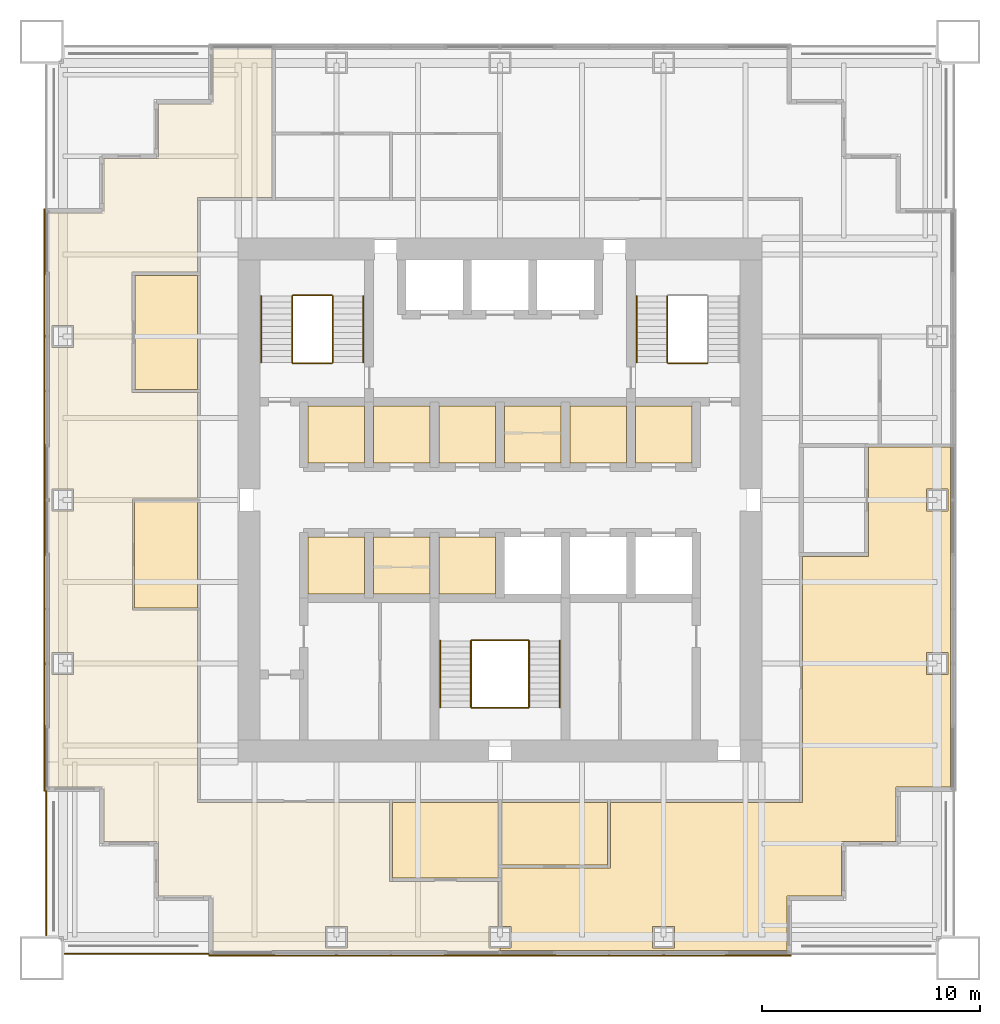
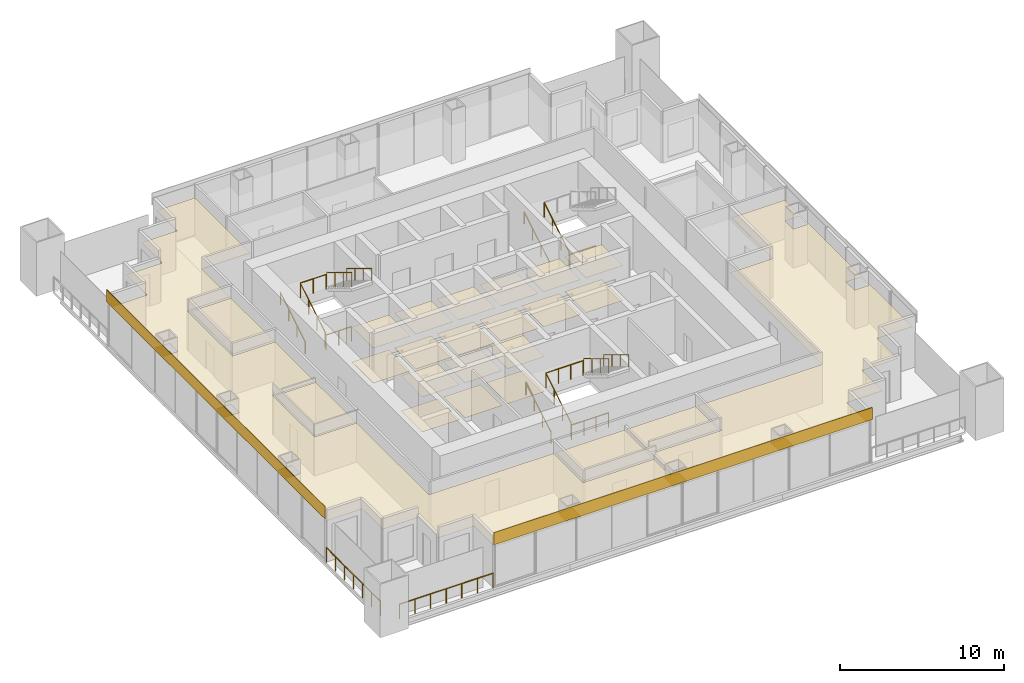
# One storey, part 13 of 14: 26 coverings, 17 railings.
"""IFC4 building model written with IfcOpenShell, lengths in metres."""

from ifc_helpers import new_model, si_unit, direction, frame, origin, origin_2d, place, context, subcontext, project, spatial, polyline, rectangle, circle, outline, extrude, material, layer, layer_set, type_object, element, save


model = new_model("IFC4")

# Units and contexts
model_context = context("Model", 3, precision=1e-05, world=origin(), true_north=direction((0.0, 1.0)))
body_context = subcontext(model_context, "Body", "Model", "MODEL_VIEW")
ifc_project = project(units=[si_unit("LENGTHUNIT", "METRE"), si_unit("AREAUNIT", "SQUARE_METRE"), si_unit("VOLUMEUNIT", "CUBIC_METRE"), si_unit("PLANEANGLEUNIT", "RADIAN"), si_unit("MASSUNIT", "GRAM", prefix="KILO")], contexts=[model_context])

# Site, building, storey
site_placement = place(None, origin())
site = spatial("IfcSite", under=ifc_project, at=site_placement, CompositionType="ELEMENT")
building_placement = place(site_placement, origin())
building = spatial("IfcBuilding", under=site, at=building_placement, Name="Tarangal Relay Tower", CompositionType="ELEMENT")
storey_placement = place(building_placement, frame((0.0, 0.0, 271.89990234375)))
storey = spatial("IfcBuildingStorey", under=building, at=storey_placement, Name="L59", CompositionType="ELEMENT", Elevation=271.89990234375)

# Coverings
ifc_material_1 = material(Name="Anti-static vinyl flooring", Category="plastic")
ifc_layer_1 = layer(ifc_material_1, 0.010009765625)
ifc_layer_set_1 = layer_set([ifc_layer_1], Name="Anti-static vinyl floor")
covering_type_1 = type_object("IfcCoveringType", Name="Anti-static vinyl floor", PredefinedType="FLOORING", material=ifc_layer_set_1)
covering_1_placement = place(storey_placement, origin())
element("IfcCovering", 1, at=covering_1_placement, inside=storey, type_object=covering_type_1, Name="Floor finish FL1 L59-D1", PredefinedType="FLOORING", context=body_context, shape_type="SweptSolid", body=[
    extrude(outline(polyline([(-8.800048828125, 1.699951171875), (-6.199951171875, 1.699951171875), (-6.199951171875, 4.300048828125), (-8.800048828125, 4.300048828125), (-8.800048828125, 1.699951171875)])), origin(), (0.0, 0.0, 1.0), 0.010009765625),
])
covering_2_placement = place(storey_placement, origin())
element("IfcCovering", 2, at=covering_2_placement, inside=storey, type_object=covering_type_1, Name="Floor finish FL1 L59-D2", PredefinedType="FLOORING", context=body_context, shape_type="SweptSolid", body=[
    extrude(outline(polyline([(-5.800048828125, 1.699951171875), (-3.199951171875, 1.699951171875), (-3.199951171875, 4.300048828125), (-5.800048828125, 4.300048828125), (-5.800048828125, 1.699951171875)])), origin(), (0.0, 0.0, 1.0), 0.010009765625),
])
covering_3_placement = place(storey_placement, origin())
element("IfcCovering", 3, at=covering_3_placement, inside=storey, type_object=covering_type_1, Name="Floor finish FL1 L59-D3", PredefinedType="FLOORING", context=body_context, shape_type="SweptSolid", body=[
    extrude(outline(polyline([(-2.800048828125, 1.699951171875), (-0.199951171875, 1.699951171875), (-0.199951171875, 4.300048828125), (-2.800048828125, 4.300048828125), (-2.800048828125, 1.699951171875)])), origin(), (0.0, 0.0, 1.0), 0.010009765625),
])
covering_4_placement = place(storey_placement, origin())
element("IfcCovering", 4, at=covering_4_placement, inside=storey, type_object=covering_type_1, Name="Floor finish FL1 L59-T1", PredefinedType="FLOORING", context=body_context, shape_type="SweptSolid", body=[
    extrude(outline(polyline([(0.199951171875, 1.699951171875), (2.800048828125, 1.699951171875), (2.800048828125, 4.300048828125), (0.199951171875, 4.300048828125), (0.199951171875, 1.699951171875)])), origin(), (0.0, 0.0, 1.0), 0.010009765625),
])
covering_5_placement = place(storey_placement, origin())
element("IfcCovering", 5, at=covering_5_placement, inside=storey, type_object=covering_type_1, Name="Floor finish FL1 L59-T2", PredefinedType="FLOORING", context=body_context, shape_type="SweptSolid", body=[
    extrude(outline(polyline([(3.199951171875, 1.699951171875), (5.800048828125, 1.699951171875), (5.800048828125, 4.300048828125), (3.199951171875, 4.300048828125), (3.199951171875, 1.699951171875)])), origin(), (0.0, 0.0, 1.0), 0.010009765625),
])
covering_6_placement = place(storey_placement, origin())
element("IfcCovering", 6, at=covering_6_placement, inside=storey, type_object=covering_type_1, Name="Floor finish FL1 L59-T3", PredefinedType="FLOORING", context=body_context, shape_type="SweptSolid", body=[
    extrude(outline(polyline([(6.199951171875, 1.699951171875), (8.800048828125, 1.699951171875), (8.800048828125, 4.300048828125), (6.199951171875, 4.300048828125), (6.199951171875, 1.699951171875)])), origin(), (0.0, 0.0, 1.0), 0.010009765625),
])
covering_7_placement = place(storey_placement, origin())
element("IfcCovering", 7, at=covering_7_placement, inside=storey, type_object=covering_type_1, Name="Floor finish FL1 L59-S1", PredefinedType="FLOORING", context=body_context, shape_type="SweptSolid", body=[
    extrude(outline(polyline([(-8.800048828125, -4.300048828125), (-6.199951171875, -4.300048828125), (-6.199951171875, -1.699951171875), (-8.800048828125, -1.699951171875), (-8.800048828125, -4.300048828125)])), origin(), (0.0, 0.0, 1.0), 0.010009765625),
])
covering_8_placement = place(storey_placement, origin())
element("IfcCovering", 8, at=covering_8_placement, inside=storey, type_object=covering_type_1, Name="Floor finish FL1 L59-S2", PredefinedType="FLOORING", context=body_context, shape_type="SweptSolid", body=[
    extrude(outline(polyline([(-5.800048828125, -4.300048828125), (-3.199951171875, -4.300048828125), (-3.199951171875, -1.699951171875), (-5.800048828125, -1.699951171875), (-5.800048828125, -4.300048828125)])), origin(), (0.0, 0.0, 1.0), 0.010009765625),
])
covering_9_placement = place(storey_placement, origin())
element("IfcCovering", 9, at=covering_9_placement, inside=storey, type_object=covering_type_1, Name="Floor finish FL1 L59-S3", PredefinedType="FLOORING", context=body_context, shape_type="SweptSolid", body=[
    extrude(outline(polyline([(-2.800048828125, -4.300048828125), (-0.199951171875, -4.300048828125), (-0.199951171875, -1.699951171875), (-2.800048828125, -1.699951171875), (-2.800048828125, -4.300048828125)])), origin(), (0.0, 0.0, 1.0), 0.010009765625),
])
ifc_material_2 = material(Name="Black anodised aluminium cladding", Category="aluminium")
ifc_layer_2 = layer(ifc_material_2, 0.050048828125)
ifc_layer_set_2 = layer_set([ifc_layer_2], Name="Black metal spandrel band")
covering_type_2 = type_object("IfcCoveringType", Name="Black metal spandrel band", PredefinedType="CLADDING", material=ifc_layer_set_2)
for number, where, z_axis, x_axis, name in (
    (10, (0.0, -20.875, 3.250244140625), (0.0, 0.0, 1.0), (-1.0, 0.0, 0.0), "Spandrel band SB1 S L59"),
    (11, (-20.875, 0.0, 3.250244140625), (0.0, 0.0, 1.0), (0.0, 1.0, 0.0), "Spandrel band SB1 W L59"),
):
    element("IfcCovering", number, at=place(storey_placement, frame(where, z_axis=z_axis, x_axis=x_axis)), inside=storey, type_object=covering_type_2, Name=name, PredefinedType="CLADDING", context=body_context, shape_type="SweptSolid", body=[
        extrude(rectangle(XDim=26.699951171875, YDim=0.050048828125, at=origin_2d()), origin(), (0.0, 0.0, 1.0), 0.89990234375),
    ])

# Railings
ifc_material_3 = material(Name="Steel guard, black finish", Category="steel")
railing_type_1 = type_object("IfcRailingType", Name="Stair guard 1100", PredefinedType="GUARDRAIL", material=ifc_material_3)
railing_1_placement = place(storey_placement, frame((-9.530029296875, 6.300048828125, 0.166748046875)))
element("IfcRailing", 12, at=railing_1_placement, inside=storey, type_object=railing_type_1, Name="Stair ST-A guard GR1 L59 flight 1", PredefinedType="GUARDRAIL", context=body_context, shape_type="SweptSolid", body=[
    extrude(circle(Radius=0.02392578125, at=origin_2d()), frame((0.0, 0.0, 1.076171875), z_axis=(0.0, 0.85685617095, 0.515555527858), x_axis=(-1.0, 0.0, 0.0)), (0.0, 0.0, 1.0), 3.555908203125),
    extrude(circle(Radius=0.02099609375, at=origin_2d()), origin(), (0.0, 0.0, 1.0), 1.052001953125),
    extrude(circle(Radius=0.02099609375, at=origin_2d()), frame((0.0, 1.015625, 0.611083984375)), (0.0, 0.0, 1.0), 1.052001953125),
    extrude(circle(Radius=0.02099609375, at=origin_2d()), frame((0.0, 2.03125, 1.22216796875)), (0.0, 0.0, 1.0), 1.052001953125),
    extrude(circle(Radius=0.02099609375, at=origin_2d()), frame((0.0, 3.046875, 1.833251953125)), (0.0, 0.0, 1.0), 1.052001953125),
])
railing_2_placement = place(storey_placement, frame((-7.669921875, 9.346923828125, 2.166748046875)))
element("IfcRailing", 13, at=railing_2_placement, inside=storey, type_object=railing_type_1, Name="Stair ST-A guard GR1 L59 flight 2", PredefinedType="GUARDRAIL", context=body_context, shape_type="SweptSolid", body=[
    extrude(circle(Radius=0.02392578125, at=origin_2d()), frame((0.0, 0.0, 1.076171875), z_axis=(0.0, -0.85685617095, 0.515555527858), x_axis=(1.0, 0.0, 0.0)), (0.0, 0.0, 1.0), 3.555908203125),
    extrude(circle(Radius=0.02099609375, at=origin_2d()), origin(), (0.0, 0.0, 1.0), 1.052001953125),
    extrude(circle(Radius=0.02099609375, at=origin_2d()), frame((0.0, -1.015625, 0.611083984375)), (0.0, 0.0, 1.0), 1.052001953125),
    extrude(circle(Radius=0.02099609375, at=origin_2d()), frame((0.0, -2.03125, 1.22216796875)), (0.0, 0.0, 1.0), 1.052001953125),
    extrude(circle(Radius=0.02099609375, at=origin_2d()), frame((0.0, -3.046875, 1.833251953125)), (0.0, 0.0, 1.0), 1.052001953125),
])
for number, where, name in (
    (14, (-9.5, 6.27001953125, 0.0), "Stair ST-A landing guard GR1 L59"),
    (15, (-9.5, 9.376953125, 2.0), "Stair ST-A landing guard GR1 L59"),
):
    element("IfcRailing", number, at=place(storey_placement, frame(where)), inside=storey, type_object=railing_type_1, Name=name, PredefinedType="GUARDRAIL", context=body_context, shape_type="SweptSolid", body=[
        extrude(circle(Radius=0.02392578125, at=origin_2d()), frame((0.0, 0.0, 1.076171875), z_axis=(1.0, 0.0, 0.0), x_axis=(0.0, 1.0, 0.0)), (0.0, 0.0, 1.0), 1.800048828125),
        extrude(circle(Radius=0.02099609375, at=origin_2d()), origin(), (0.0, 0.0, 1.0), 1.052001953125),
        extrude(circle(Radius=0.02099609375, at=origin_2d()), frame((0.89990234375, 0.0, 0.0)), (0.0, 0.0, 1.0), 1.052001953125),
        extrude(circle(Radius=0.02099609375, at=origin_2d()), frame((1.800048828125, 0.0, 0.0)), (0.0, 0.0, 1.0), 1.052001953125),
    ])
railing_3_placement = place(storey_placement, frame((7.669921875, 6.300048828125, 0.166748046875)))
element("IfcRailing", 16, at=railing_3_placement, inside=storey, type_object=railing_type_1, Name="Stair ST-B guard GR1 L59 flight 1", PredefinedType="GUARDRAIL", context=body_context, shape_type="SweptSolid", body=[
    extrude(circle(Radius=0.02392578125, at=origin_2d()), frame((0.0, 0.0, 1.076171875), z_axis=(0.0, 0.85685617095, 0.515555527858), x_axis=(-1.0, 0.0, 0.0)), (0.0, 0.0, 1.0), 3.555908203125),
    extrude(circle(Radius=0.02099609375, at=origin_2d()), origin(), (0.0, 0.0, 1.0), 1.052001953125),
    extrude(circle(Radius=0.02099609375, at=origin_2d()), frame((0.0, 1.015625, 0.611083984375)), (0.0, 0.0, 1.0), 1.052001953125),
    extrude(circle(Radius=0.02099609375, at=origin_2d()), frame((0.0, 2.03125, 1.22216796875)), (0.0, 0.0, 1.0), 1.052001953125),
    extrude(circle(Radius=0.02099609375, at=origin_2d()), frame((0.0, 3.046875, 1.833251953125)), (0.0, 0.0, 1.0), 1.052001953125),
])
railing_4_placement = place(storey_placement, frame((7.699951171875, 6.27001953125, 0.0)))
element("IfcRailing", 17, at=railing_4_placement, inside=storey, type_object=railing_type_1, Name="Stair ST-B landing guard GR1 L59", PredefinedType="GUARDRAIL", context=body_context, shape_type="SweptSolid", body=[
    extrude(circle(Radius=0.02392578125, at=origin_2d()), frame((0.0, 0.0, 1.076171875), z_axis=(1.0, 0.0, 0.0), x_axis=(0.0, 1.0, 0.0)), (0.0, 0.0, 1.0), 1.800048828125),
    extrude(circle(Radius=0.02099609375, at=origin_2d()), origin(), (0.0, 0.0, 1.0), 1.052001953125),
    extrude(circle(Radius=0.02099609375, at=origin_2d()), frame((0.89990234375, 0.0, 0.0)), (0.0, 0.0, 1.0), 1.052001953125),
    extrude(circle(Radius=0.02099609375, at=origin_2d()), frame((1.800048828125, 0.0, 0.0)), (0.0, 0.0, 1.0), 1.052001953125),
])
railing_5_placement = place(storey_placement, frame((-1.330078125, -9.5, 0.166748046875)))
element("IfcRailing", 18, at=railing_5_placement, inside=storey, type_object=railing_type_1, Name="Stair ST-C guard GR1 L59 flight 1", PredefinedType="GUARDRAIL", context=body_context, shape_type="SweptSolid", body=[
    extrude(circle(Radius=0.02392578125, at=origin_2d()), frame((0.0, 0.0, 1.076171875), z_axis=(0.0, 0.856874418557, 0.515525199018), x_axis=(-1.0, 0.0, 0.0)), (0.0, 0.0, 1.0), 3.55615234375),
    extrude(circle(Radius=0.02099609375, at=origin_2d()), origin(), (0.0, 0.0, 1.0), 1.052001953125),
    extrude(circle(Radius=0.02099609375, at=origin_2d()), frame((0.0, 1.015625, 0.611083984375)), (0.0, 0.0, 1.0), 1.052001953125),
    extrude(circle(Radius=0.02099609375, at=origin_2d()), frame((0.0, 2.031494140625, 1.22216796875)), (0.0, 0.0, 1.0), 1.052001953125),
    extrude(circle(Radius=0.02099609375, at=origin_2d()), frame((0.0, 3.047119140625, 1.833251953125)), (0.0, 0.0, 1.0), 1.052001953125),
])
railing_6_placement = place(storey_placement, frame((1.330078125, -6.452880859375, 2.166748046875)))
element("IfcRailing", 19, at=railing_6_placement, inside=storey, type_object=railing_type_1, Name="Stair ST-C guard GR1 L59 flight 2", PredefinedType="GUARDRAIL", context=body_context, shape_type="SweptSolid", body=[
    extrude(circle(Radius=0.02392578125, at=origin_2d()), frame((0.0, 0.0, 1.076171875), z_axis=(0.0, -0.856874418557, 0.515525199018), x_axis=(1.0, 0.0, 0.0)), (0.0, 0.0, 1.0), 3.55615234375),
    extrude(circle(Radius=0.02099609375, at=origin_2d()), origin(), (0.0, 0.0, 1.0), 1.052001953125),
    extrude(circle(Radius=0.02099609375, at=origin_2d()), frame((0.0, -1.015625, 0.611083984375)), (0.0, 0.0, 1.0), 1.052001953125),
    extrude(circle(Radius=0.02099609375, at=origin_2d()), frame((0.0, -2.031494140625, 1.22216796875)), (0.0, 0.0, 1.0), 1.052001953125),
    extrude(circle(Radius=0.02099609375, at=origin_2d()), frame((0.0, -3.047119140625, 1.833251953125)), (0.0, 0.0, 1.0), 1.052001953125),
])
for number, where, name in (
    (20, (-1.300048828125, -9.530029296875, 0.0), "Stair ST-C landing guard GR1 L59"),
    (21, (-1.300048828125, -6.423095703125, 2.0), "Stair ST-C landing guard GR1 L59"),
):
    element("IfcRailing", number, at=place(storey_placement, frame(where)), inside=storey, type_object=railing_type_1, Name=name, PredefinedType="GUARDRAIL", context=body_context, shape_type="SweptSolid", body=[
        extrude(circle(Radius=0.02392578125, at=origin_2d()), frame((0.0, 0.0, 1.076171875), z_axis=(1.0, 0.0, 0.0), x_axis=(0.0, 1.0, 0.0)), (0.0, 0.0, 1.0), 2.60009765625),
        extrude(circle(Radius=0.02099609375, at=origin_2d()), origin(), (0.0, 0.0, 1.0), 1.052001953125),
        extrude(circle(Radius=0.02099609375, at=origin_2d()), frame((0.86669921875, 0.0, 0.0)), (0.0, 0.0, 1.0), 1.052001953125),
        extrude(circle(Radius=0.02099609375, at=origin_2d()), frame((1.7333984375, 0.0, 0.0)), (0.0, 0.0, 1.0), 1.052001953125),
        extrude(circle(Radius=0.02099609375, at=origin_2d()), frame((2.60009765625, 0.0, 0.0)), (0.0, 0.0, 1.0), 1.052001953125),
    ])
ifc_material_4 = material(Name="Steel handrail, black finish", Category="steel")
railing_type_2 = type_object("IfcRailingType", Name="Stair handrail 900", PredefinedType="HANDRAIL", material=ifc_material_4)
railing_7_placement = place(storey_placement, frame((-10.93994140625, 6.300048828125, 0.166748046875)))
element("IfcRailing", 22, at=railing_7_placement, inside=storey, type_object=railing_type_2, Name="Stair ST-A handrail HR1 L59 flight 1", PredefinedType="HANDRAIL", context=body_context, shape_type="SweptSolid", body=[
    extrude(circle(Radius=0.02392578125, at=origin_2d()), frame((0.0, 0.0, 0.8759765625), z_axis=(0.0, 0.85685617095, 0.515555527858), x_axis=(-1.0, 0.0, 0.0)), (0.0, 0.0, 1.0), 3.555908203125),
    extrude(circle(Radius=0.02099609375, at=origin_2d()), origin(), (0.0, 0.0, 1.0), 0.851806640625),
    extrude(circle(Radius=0.02099609375, at=origin_2d()), frame((0.0, 1.015625, 0.611083984375)), (0.0, 0.0, 1.0), 0.851806640625),
    extrude(circle(Radius=0.02099609375, at=origin_2d()), frame((0.0, 2.03125, 1.22216796875)), (0.0, 0.0, 1.0), 0.851806640625),
    extrude(circle(Radius=0.02099609375, at=origin_2d()), frame((0.0, 3.046875, 1.833251953125)), (0.0, 0.0, 1.0), 0.851806640625),
])
railing_8_placement = place(storey_placement, frame((-6.260009765625, 9.346923828125, 2.166748046875)))
element("IfcRailing", 23, at=railing_8_placement, inside=storey, type_object=railing_type_2, Name="Stair ST-A handrail HR1 L59 flight 2", PredefinedType="HANDRAIL", context=body_context, shape_type="SweptSolid", body=[
    extrude(circle(Radius=0.02392578125, at=origin_2d()), frame((0.0, 0.0, 0.8759765625), z_axis=(0.0, -0.85685617095, 0.515555527858), x_axis=(1.0, 0.0, 0.0)), (0.0, 0.0, 1.0), 3.555908203125),
    extrude(circle(Radius=0.02099609375, at=origin_2d()), origin(), (0.0, 0.0, 1.0), 0.851806640625),
    extrude(circle(Radius=0.02099609375, at=origin_2d()), frame((0.0, -1.015625, 0.611083984375)), (0.0, 0.0, 1.0), 0.851806640625),
    extrude(circle(Radius=0.02099609375, at=origin_2d()), frame((0.0, -2.03125, 1.22216796875)), (0.0, 0.0, 1.0), 0.851806640625),
    extrude(circle(Radius=0.02099609375, at=origin_2d()), frame((0.0, -3.046875, 1.833251953125)), (0.0, 0.0, 1.0), 0.851806640625),
])
railing_9_placement = place(storey_placement, frame((6.260009765625, 6.300048828125, 0.166748046875)))
element("IfcRailing", 24, at=railing_9_placement, inside=storey, type_object=railing_type_2, Name="Stair ST-B handrail HR1 L59 flight 1", PredefinedType="HANDRAIL", context=body_context, shape_type="SweptSolid", body=[
    extrude(circle(Radius=0.02392578125, at=origin_2d()), frame((0.0, 0.0, 0.8759765625), z_axis=(0.0, 0.85685617095, 0.515555527858), x_axis=(-1.0, 0.0, 0.0)), (0.0, 0.0, 1.0), 3.555908203125),
    extrude(circle(Radius=0.02099609375, at=origin_2d()), origin(), (0.0, 0.0, 1.0), 0.851806640625),
    extrude(circle(Radius=0.02099609375, at=origin_2d()), frame((0.0, 1.015625, 0.611083984375)), (0.0, 0.0, 1.0), 0.851806640625),
    extrude(circle(Radius=0.02099609375, at=origin_2d()), frame((0.0, 2.03125, 1.22216796875)), (0.0, 0.0, 1.0), 0.851806640625),
    extrude(circle(Radius=0.02099609375, at=origin_2d()), frame((0.0, 3.046875, 1.833251953125)), (0.0, 0.0, 1.0), 0.851806640625),
])
railing_10_placement = place(storey_placement, frame((-2.739990234375, -9.5, 0.166748046875)))
element("IfcRailing", 25, at=railing_10_placement, inside=storey, type_object=railing_type_2, Name="Stair ST-C handrail HR1 L59 flight 1", PredefinedType="HANDRAIL", context=body_context, shape_type="SweptSolid", body=[
    extrude(circle(Radius=0.02392578125, at=origin_2d()), frame((0.0, 0.0, 0.8759765625), z_axis=(0.0, 0.856874418557, 0.515525199018), x_axis=(-1.0, 0.0, 0.0)), (0.0, 0.0, 1.0), 3.55615234375),
    extrude(circle(Radius=0.02099609375, at=origin_2d()), origin(), (0.0, 0.0, 1.0), 0.851806640625),
    extrude(circle(Radius=0.02099609375, at=origin_2d()), frame((0.0, 1.015625, 0.611083984375)), (0.0, 0.0, 1.0), 0.851806640625),
    extrude(circle(Radius=0.02099609375, at=origin_2d()), frame((0.0, 2.031494140625, 1.22216796875)), (0.0, 0.0, 1.0), 0.851806640625),
    extrude(circle(Radius=0.02099609375, at=origin_2d()), frame((0.0, 3.047119140625, 1.833251953125)), (0.0, 0.0, 1.0), 0.851806640625),
])
railing_11_placement = place(storey_placement, frame((2.739990234375, -6.452880859375, 2.166748046875)))
element("IfcRailing", 26, at=railing_11_placement, inside=storey, type_object=railing_type_2, Name="Stair ST-C handrail HR1 L59 flight 2", PredefinedType="HANDRAIL", context=body_context, shape_type="SweptSolid", body=[
    extrude(circle(Radius=0.02392578125, at=origin_2d()), frame((0.0, 0.0, 0.8759765625), z_axis=(0.0, -0.856874418557, 0.515525199018), x_axis=(1.0, 0.0, 0.0)), (0.0, 0.0, 1.0), 3.55615234375),
    extrude(circle(Radius=0.02099609375, at=origin_2d()), origin(), (0.0, 0.0, 1.0), 0.851806640625),
    extrude(circle(Radius=0.02099609375, at=origin_2d()), frame((0.0, -1.015625, 0.611083984375)), (0.0, 0.0, 1.0), 0.851806640625),
    extrude(circle(Radius=0.02099609375, at=origin_2d()), frame((0.0, -2.031494140625, 1.22216796875)), (0.0, 0.0, 1.0), 0.851806640625),
    extrude(circle(Radius=0.02099609375, at=origin_2d()), frame((0.0, -3.047119140625, 1.833251953125)), (0.0, 0.0, 1.0), 0.851806640625),
])

# Coverings
ifc_material_5 = material(Name="Mineral fibre ceiling tiles", Category="gypsum")
ifc_layer_3 = layer(ifc_material_5, 0.02001953125)
ifc_layer_set_3 = layer_set([ifc_layer_3], Name="Suspended ceiling")
covering_type_3 = type_object("IfcCoveringType", Name="Suspended ceiling", PredefinedType="CEILING", material=ifc_layer_set_3)
covering_10_placement = place(storey_placement, frame((0.0, 0.0, 2.60009765625)))
element("IfcCovering", 27, at=covering_10_placement, inside=storey, type_object=covering_type_3, Name="Suspended ceiling CL1 L59-D1", PredefinedType="CEILING", context=body_context, shape_type="SweptSolid", body=[
    extrude(outline(polyline([(-8.800048828125, 1.699951171875), (-6.199951171875, 1.699951171875), (-6.199951171875, 4.300048828125), (-8.800048828125, 4.300048828125), (-8.800048828125, 1.699951171875)])), origin(), (0.0, 0.0, 1.0), 0.02001953125),
])
covering_11_placement = place(storey_placement, frame((0.0, 0.0, 2.60009765625)))
element("IfcCovering", 28, at=covering_11_placement, inside=storey, type_object=covering_type_3, Name="Suspended ceiling CL1 L59-D2", PredefinedType="CEILING", context=body_context, shape_type="SweptSolid", body=[
    extrude(outline(polyline([(-5.800048828125, 1.699951171875), (-3.199951171875, 1.699951171875), (-3.199951171875, 4.300048828125), (-5.800048828125, 4.300048828125), (-5.800048828125, 1.699951171875)])), origin(), (0.0, 0.0, 1.0), 0.02001953125),
])
covering_12_placement = place(storey_placement, frame((0.0, 0.0, 2.60009765625)))
element("IfcCovering", 29, at=covering_12_placement, inside=storey, type_object=covering_type_3, Name="Suspended ceiling CL1 L59-D3", PredefinedType="CEILING", context=body_context, shape_type="SweptSolid", body=[
    extrude(outline(polyline([(-2.800048828125, 1.699951171875), (-0.199951171875, 1.699951171875), (-0.199951171875, 4.300048828125), (-2.800048828125, 4.300048828125), (-2.800048828125, 1.699951171875)])), origin(), (0.0, 0.0, 1.0), 0.02001953125),
])
covering_13_placement = place(storey_placement, frame((0.0, 0.0, 2.60009765625)))
element("IfcCovering", 30, at=covering_13_placement, inside=storey, type_object=covering_type_3, Name="Suspended ceiling CL1 L59-T1", PredefinedType="CEILING", context=body_context, shape_type="SweptSolid", body=[
    extrude(outline(polyline([(0.199951171875, 1.699951171875), (2.800048828125, 1.699951171875), (2.800048828125, 4.300048828125), (0.199951171875, 4.300048828125), (0.199951171875, 1.699951171875)])), origin(), (0.0, 0.0, 1.0), 0.02001953125),
])
covering_14_placement = place(storey_placement, frame((0.0, 0.0, 2.60009765625)))
element("IfcCovering", 31, at=covering_14_placement, inside=storey, type_object=covering_type_3, Name="Suspended ceiling CL1 L59-T2", PredefinedType="CEILING", context=body_context, shape_type="SweptSolid", body=[
    extrude(outline(polyline([(3.199951171875, 1.699951171875), (5.800048828125, 1.699951171875), (5.800048828125, 4.300048828125), (3.199951171875, 4.300048828125), (3.199951171875, 1.699951171875)])), origin(), (0.0, 0.0, 1.0), 0.02001953125),
])
covering_15_placement = place(storey_placement, frame((0.0, 0.0, 2.60009765625)))
element("IfcCovering", 32, at=covering_15_placement, inside=storey, type_object=covering_type_3, Name="Suspended ceiling CL1 L59-T3", PredefinedType="CEILING", context=body_context, shape_type="SweptSolid", body=[
    extrude(outline(polyline([(6.199951171875, 1.699951171875), (8.800048828125, 1.699951171875), (8.800048828125, 4.300048828125), (6.199951171875, 4.300048828125), (6.199951171875, 1.699951171875)])), origin(), (0.0, 0.0, 1.0), 0.02001953125),
])
covering_16_placement = place(storey_placement, frame((0.0, 0.0, 2.60009765625)))
element("IfcCovering", 33, at=covering_16_placement, inside=storey, type_object=covering_type_3, Name="Suspended ceiling CL1 L59-S1", PredefinedType="CEILING", context=body_context, shape_type="SweptSolid", body=[
    extrude(outline(polyline([(-8.800048828125, -4.300048828125), (-6.199951171875, -4.300048828125), (-6.199951171875, -1.699951171875), (-8.800048828125, -1.699951171875), (-8.800048828125, -4.300048828125)])), origin(), (0.0, 0.0, 1.0), 0.02001953125),
])
covering_17_placement = place(storey_placement, frame((0.0, 0.0, 2.60009765625)))
element("IfcCovering", 34, at=covering_17_placement, inside=storey, type_object=covering_type_3, Name="Suspended ceiling CL1 L59-S2", PredefinedType="CEILING", context=body_context, shape_type="SweptSolid", body=[
    extrude(outline(polyline([(-5.800048828125, -4.300048828125), (-3.199951171875, -4.300048828125), (-3.199951171875, -1.699951171875), (-5.800048828125, -1.699951171875), (-5.800048828125, -4.300048828125)])), origin(), (0.0, 0.0, 1.0), 0.02001953125),
])
covering_18_placement = place(storey_placement, frame((0.0, 0.0, 2.60009765625)))
element("IfcCovering", 35, at=covering_18_placement, inside=storey, type_object=covering_type_3, Name="Suspended ceiling CL1 L59-S3", PredefinedType="CEILING", context=body_context, shape_type="SweptSolid", body=[
    extrude(outline(polyline([(-2.800048828125, -4.300048828125), (-0.199951171875, -4.300048828125), (-0.199951171875, -1.699951171875), (-2.800048828125, -1.699951171875), (-2.800048828125, -4.300048828125)])), origin(), (0.0, 0.0, 1.0), 0.02001953125),
])
covering_19_placement = place(storey_placement, frame((0.0, 0.0, 2.900146484375)))
element("IfcCovering", 36, at=covering_19_placement, inside=storey, type_object=covering_type_3, Name="Suspended ceiling CL1 L59-06", PredefinedType="CEILING", context=body_context, shape_type="SweptSolid", body=[
    extrude(outline(polyline([(4.925048828125, -13.875), (0.074951171875, -13.875), (0.074951171875, -16.72509765625), (4.925048828125, -16.72509765625), (4.925048828125, -13.875)])), origin(), (0.0, 0.0, 1.0), 0.02001953125),
])
covering_20_placement = place(storey_placement, frame((0.0, 0.0, 2.900146484375)))
element("IfcCovering", 37, at=covering_20_placement, inside=storey, type_object=covering_type_3, Name="Suspended ceiling CL1 L59-07", PredefinedType="CEILING", context=body_context, shape_type="SweptSolid", body=[
    extrude(outline(polyline([(-4.925048828125, -17.324951171875), (-0.074951171875, -17.324951171875), (-0.074951171875, -13.875), (-4.925048828125, -13.875), (-4.925048828125, -17.324951171875)])), origin(), (0.0, 0.0, 1.0), 0.02001953125),
])
covering_21_placement = place(storey_placement, frame((0.0, 0.0, 2.900146484375)))
element("IfcCovering", 38, at=covering_21_placement, inside=storey, type_object=covering_type_3, Name="Suspended ceiling CL1 L59-08", PredefinedType="CEILING", context=body_context, shape_type="SweptSolid", body=[
    extrude(outline(polyline([(-16.75, -0.050048828125), (-16.75, -4.949951171875), (-13.875, -4.949951171875), (-13.875, -0.050048828125), (-16.75, -0.050048828125)])), origin(), (0.0, 0.0, 1.0), 0.02001953125),
])
covering_22_placement = place(storey_placement, frame((0.0, 0.0, 2.900146484375)))
element("IfcCovering", 39, at=covering_22_placement, inside=storey, type_object=covering_type_3, Name="Suspended ceiling CL1 L59-09", PredefinedType="CEILING", context=body_context, shape_type="SweptSolid", body=[
    extrude(outline(polyline([(-13.875, 10.300048828125), (-16.72509765625, 10.300048828125), (-16.72509765625, 5.074951171875), (-13.875, 5.074951171875), (-13.875, 10.300048828125)])), origin(), (0.0, 0.0, 1.0), 0.02001953125),
])
covering_23_placement = place(storey_placement, frame((0.0, 0.0, 2.900146484375)))
element("IfcCovering", 40, at=covering_23_placement, inside=storey, type_object=covering_type_3, Name="Suspended ceiling CL1 L59-11", PredefinedType="CEILING", context=body_context, shape_type="SweptSolid", body=[
    extrude(outline(polyline([(20.64990234375, -13.14990234375), (20.64990234375, 2.425048828125), (16.89990234375, 2.425048828125), (16.89990234375, -2.60009765625), (13.875, -2.60009765625), (13.875, -13.875), (5.074951171875, -13.875), (5.074951171875, -16.875), (0.074951171875, -16.875), (0.074951171875, -19.5400390625), (0.5, -19.5400390625), (0.5, -20.5400390625), (0.0, -20.5400390625), (0.0, -20.64990234375), (13.14990234375, -20.64990234375), (13.14990234375, -18.14990234375), (15.64990234375, -18.14990234375), (15.64990234375, -15.64990234375), (18.14990234375, -15.64990234375), (18.14990234375, -13.14990234375), (20.64990234375, -13.14990234375)]), holes=[polyline([(7.0, -20.5400390625), (8.0, -20.5400390625), (8.0, -19.5400390625), (7.0, -19.5400390625), (7.0, -20.5400390625)]), polyline([(19.5400390625, -8.0), (20.5400390625, -8.0), (20.5400390625, -7.0), (19.5400390625, -7.0), (19.5400390625, -8.0)]), polyline([(19.5400390625, -0.5), (20.5400390625, -0.5), (20.5400390625, 0.5), (19.5400390625, 0.5), (19.5400390625, -0.5)])]), origin(), (0.0, 0.0, 1.0), 0.02001953125),
])
covering_24_placement = place(storey_placement, frame((0.0, 0.0, 2.900146484375)))
element("IfcCovering", 41, at=covering_24_placement, inside=storey, type_object=covering_type_3, Name="Suspended ceiling CL1 L59-12", PredefinedType="CEILING", context=body_context, shape_type="SweptSolid", body=[
    extrude(outline(polyline([(0.0, -20.64990234375), (0.0, -20.5400390625), (-0.5, -20.5400390625), (-0.5, -19.5400390625), (-0.074951171875, -19.5400390625), (-0.074951171875, -17.47509765625), (-5.074951171875, -17.47509765625), (-5.074951171875, -13.875), (-13.875, -13.875), (-13.875, -5.050048828125), (-16.85009765625, -5.050048828125), (-16.85009765625, 0.050048828125), (-13.875, 0.050048828125), (-13.875, 4.925048828125), (-16.875, 4.925048828125), (-16.875, 10.449951171875), (-13.875, 10.449951171875), (-13.875, 13.875), (-10.449951171875, 13.875), (-10.449951171875, 20.64990234375), (-13.14990234375, 20.64990234375), (-13.14990234375, 18.14990234375), (-15.64990234375, 18.14990234375), (-15.64990234375, 15.64990234375), (-18.14990234375, 15.64990234375), (-18.14990234375, 13.14990234375), (-20.64990234375, 13.14990234375), (-20.64990234375, -13.14990234375), (-18.14990234375, -13.14990234375), (-18.14990234375, -15.64990234375), (-15.64990234375, -15.64990234375), (-15.64990234375, -18.14990234375), (-13.14990234375, -18.14990234375), (-13.14990234375, -20.64990234375), (0.0, -20.64990234375)]), holes=[polyline([(-8.0, -20.5400390625), (-7.0, -20.5400390625), (-7.0, -19.5400390625), (-8.0, -19.5400390625), (-8.0, -20.5400390625)]), polyline([(-20.5400390625, -8.0), (-19.5400390625, -8.0), (-19.5400390625, -7.0), (-20.5400390625, -7.0), (-20.5400390625, -8.0)]), polyline([(-20.5400390625, 0.5), (-20.5400390625, -0.5), (-19.5400390625, -0.5), (-19.5400390625, 0.5), (-20.5400390625, 0.5)]), polyline([(-20.5400390625, 8.0), (-20.5400390625, 7.0), (-19.5400390625, 7.0), (-19.5400390625, 8.0), (-20.5400390625, 8.0)])]), origin(), (0.0, 0.0, 1.0), 0.02001953125),
])

# Railings
ifc_material_6 = material(Name="Black steel guard with glass infill", Category="steel")
railing_type_3 = type_object("IfcRailingType", Name="Terrace guard 1100", PredefinedType="GUARDRAIL", material=ifc_material_6)
railing_12_placement = place(storey_placement, frame((-13.35009765625, -20.800048828125, 0.0)))
element("IfcRailing", 42, at=railing_12_placement, inside=storey, type_object=railing_type_3, Name="Terrace guard GR2 SW L59", PredefinedType="GUARDRAIL", context=body_context, shape_type="SweptSolid", body=[
    extrude(circle(Radius=0.02392578125, at=origin_2d()), frame((0.0, 0.0, 1.076171875), z_axis=(-1.0, 0.0, 0.0), x_axis=(0.0, -1.0, 0.0)), (0.0, 0.0, 1.0), 6.599853515625),
    extrude(circle(Radius=0.02099609375, at=origin_2d()), origin(), (0.0, 0.0, 1.0), 1.052001953125),
    extrude(circle(Radius=0.02099609375, at=origin_2d()), frame((-1.10009765625, 0.0, 0.0)), (0.0, 0.0, 1.0), 1.052001953125),
    extrude(circle(Radius=0.02099609375, at=origin_2d()), frame((-2.199951171875, 0.0, 0.0)), (0.0, 0.0, 1.0), 1.052001953125),
    extrude(circle(Radius=0.02099609375, at=origin_2d()), frame((-3.2998046875, 0.0, 0.0)), (0.0, 0.0, 1.0), 1.052001953125),
    extrude(circle(Radius=0.02099609375, at=origin_2d()), frame((-4.39990234375, 0.0, 0.0)), (0.0, 0.0, 1.0), 1.052001953125),
    extrude(circle(Radius=0.02099609375, at=origin_2d()), frame((-5.5, 0.0, 0.0)), (0.0, 0.0, 1.0), 1.052001953125),
    extrude(circle(Radius=0.02099609375, at=origin_2d()), frame((-6.599853515625, 0.0, 0.0)), (0.0, 0.0, 1.0), 1.052001953125),
])
railing_13_placement = place(storey_placement, frame((-20.800048828125, -19.949951171875, 0.0)))
element("IfcRailing", 43, at=railing_13_placement, inside=storey, type_object=railing_type_3, Name="Terrace guard GR2 SW L59", PredefinedType="GUARDRAIL", context=body_context, shape_type="SweptSolid", body=[
    extrude(circle(Radius=0.02392578125, at=origin_2d()), frame((0.0, 0.0, 1.076171875), z_axis=(0.0, 1.0, 0.0), x_axis=(-1.0, 0.0, 0.0)), (0.0, 0.0, 1.0), 6.599853515625),
    extrude(circle(Radius=0.02099609375, at=origin_2d()), origin(), (0.0, 0.0, 1.0), 1.052001953125),
    extrude(circle(Radius=0.02099609375, at=origin_2d()), frame((0.0, 1.10009765625, 0.0)), (0.0, 0.0, 1.0), 1.052001953125),
    extrude(circle(Radius=0.02099609375, at=origin_2d()), frame((0.0, 2.199951171875, 0.0)), (0.0, 0.0, 1.0), 1.052001953125),
    extrude(circle(Radius=0.02099609375, at=origin_2d()), frame((0.0, 3.2998046875, 0.0)), (0.0, 0.0, 1.0), 1.052001953125),
    extrude(circle(Radius=0.02099609375, at=origin_2d()), frame((0.0, 4.39990234375, 0.0)), (0.0, 0.0, 1.0), 1.052001953125),
    extrude(circle(Radius=0.02099609375, at=origin_2d()), frame((0.0, 5.5, 0.0)), (0.0, 0.0, 1.0), 1.052001953125),
    extrude(circle(Radius=0.02099609375, at=origin_2d()), frame((0.0, 6.599853515625, 0.0)), (0.0, 0.0, 1.0), 1.052001953125),
])

save(model, "model.ifc")
